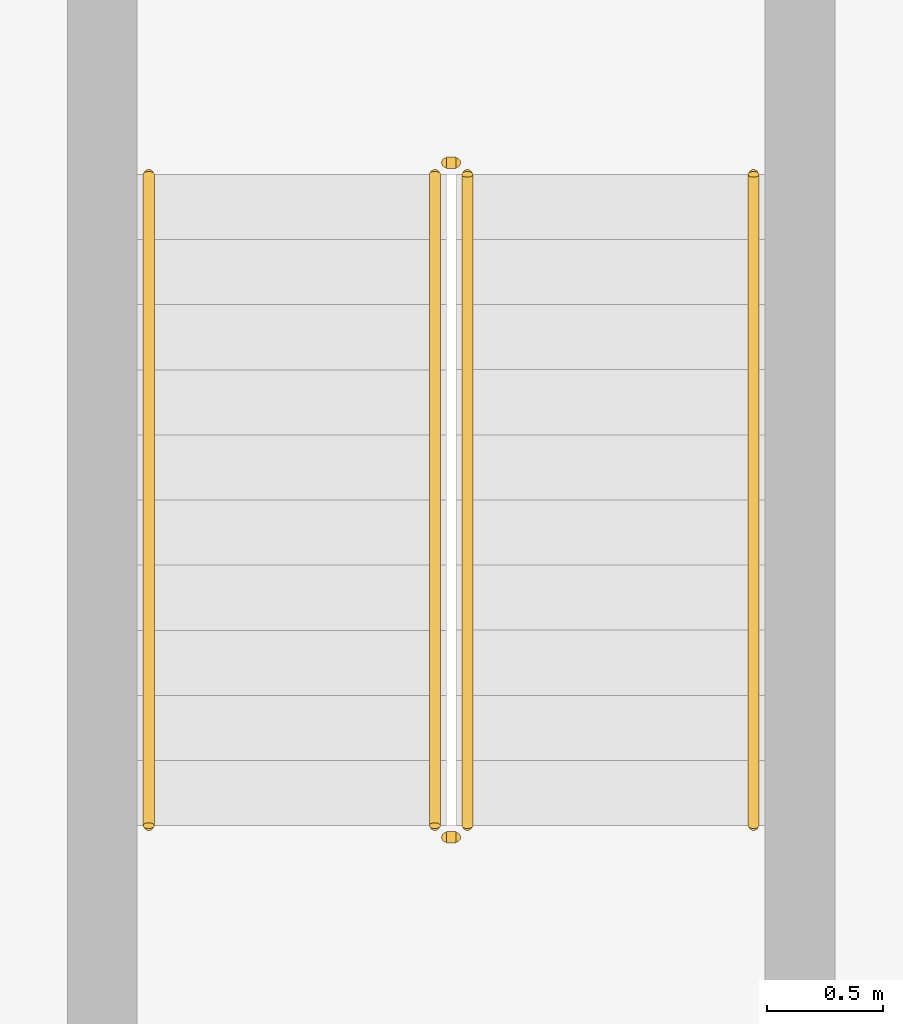
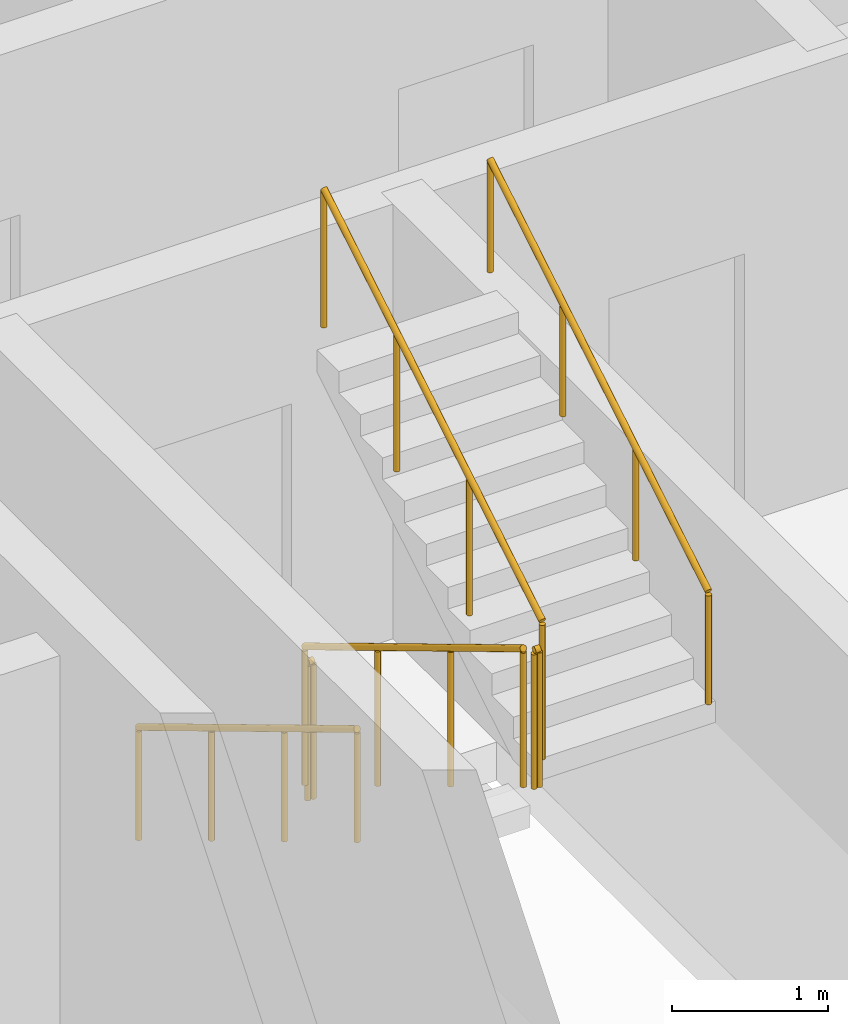
# One storey, part 22 of 23: 6 railings.
"""IFC4 building model written with IfcOpenShell, lengths in metres."""

from ifc_helpers import new_model, si_unit, direction, frame, origin, origin_2d, place, context, subcontext, project, spatial, circle, extrude, material, type_object, element, save


model = new_model("IFC4")

# Units and contexts
model_context = context("Model", 3, precision=1e-05, world=origin(), true_north=direction((0.0, 1.0)))
body_context = subcontext(model_context, "Body", "Model", "MODEL_VIEW")
ifc_project = project(units=[si_unit("LENGTHUNIT", "METRE"), si_unit("AREAUNIT", "SQUARE_METRE"), si_unit("VOLUMEUNIT", "CUBIC_METRE"), si_unit("PLANEANGLEUNIT", "RADIAN"), si_unit("MASSUNIT", "GRAM", prefix="KILO")], contexts=[model_context])

# Site, building, storey
site_placement = place(None, origin())
site = spatial("IfcSite", under=ifc_project, at=site_placement, CompositionType="ELEMENT")
building_placement = place(site_placement, origin())
building = spatial("IfcBuilding", under=site, at=building_placement, Name="Ogive Portal Towers", CompositionType="ELEMENT")
storey_placement = place(building_placement, frame((0.0, 0.0, 120.39990234375)))
storey = spatial("IfcBuildingStorey", under=building, at=storey_placement, Name="L29", CompositionType="ELEMENT", Elevation=120.39990234375)

# Railings
ifc_material_1 = material(Name="Stainless steel balustrade", Category="steel")
railing_type_1 = type_object("IfcRailingType", Name="INT-GUARD", PredefinedType="GUARDRAIL", material=ifc_material_1)
railing_1_placement = place(storey_placement, frame((88.280029296875, 29.169921875, 0.168212890625)))
element("IfcRailing", 1, at=railing_1_placement, inside=storey, type_object=railing_type_1, Name="L29 ST-A4 stair guard 1", PredefinedType="GUARDRAIL", context=body_context, shape_type="SweptSolid", body=[
    extrude(circle(Radius=0.02392578125, at=origin_2d()), frame((0.0, 0.0, 1.076171875), z_axis=(0.0, -0.857222391501, 0.514946377315), x_axis=(1.0, 0.0, 0.0)), (0.0, 0.0, 1.0), 3.26611328125),
    extrude(circle(Radius=0.02099609375, at=origin_2d()), origin(), (0.0, 0.0, 1.0), 1.052001953125),
    extrude(circle(Radius=0.02099609375, at=origin_2d()), frame((0.0, -0.933349609375, 0.560546875)), (0.0, 0.0, 1.0), 1.052001953125),
    extrude(circle(Radius=0.02099609375, at=origin_2d()), frame((0.0, -1.866455078125, 1.121337890625)), (0.0, 0.0, 1.0), 1.052001953125),
    extrude(circle(Radius=0.02099609375, at=origin_2d()), frame((0.0, -2.7998046875, 1.681884765625)), (0.0, 0.0, 1.0), 1.052001953125),
])
railing_2_placement = place(storey_placement, frame((88.330078125, 26.320068359375, 1.85009765625)))
element("IfcRailing", 2, at=railing_2_placement, inside=storey, type_object=railing_type_1, Name="L29 ST-A4 stair guard 2", PredefinedType="GUARDRAIL", context=body_context, shape_type="SweptSolid", body=[
    extrude(circle(Radius=0.02392578125, at=origin_2d()), frame((0.0, 0.0, 1.076171875), z_axis=(1.0, 0.0, 0.0), x_axis=(0.0, 1.0, 0.0)), (0.0, 0.0, 1.0), 0.0400390625),
    extrude(circle(Radius=0.02099609375, at=origin_2d()), origin(), (0.0, 0.0, 1.0), 1.052001953125),
    extrude(circle(Radius=0.02099609375, at=origin_2d()), frame((0.0400390625, 0.0, 0.0)), (0.0, 0.0, 1.0), 1.052001953125),
])
railing_3_placement = place(storey_placement, frame((88.419921875, 26.3701171875, 2.018310546875)))
element("IfcRailing", 3, at=railing_3_placement, inside=storey, type_object=railing_type_1, Name="L29 ST-A4 stair guard 3", PredefinedType="GUARDRAIL", context=body_context, shape_type="SweptSolid", body=[
    extrude(circle(Radius=0.02392578125, at=origin_2d()), frame((0.0, 0.0, 1.076171875), z_axis=(0.0, 0.857222391501, 0.514946377315), x_axis=(-1.0, 0.0, 0.0)), (0.0, 0.0, 1.0), 3.26611328125),
    extrude(circle(Radius=0.02099609375, at=origin_2d()), origin(), (0.0, 0.0, 1.0), 1.052001953125),
    extrude(circle(Radius=0.02099609375, at=origin_2d()), frame((0.0, 0.933349609375, 0.560546875)), (0.0, 0.0, 1.0), 1.052001953125),
    extrude(circle(Radius=0.02099609375, at=origin_2d()), frame((0.0, 1.866455078125, 1.121337890625)), (0.0, 0.0, 1.0), 1.052001953125),
    extrude(circle(Radius=0.02099609375, at=origin_2d()), frame((0.0, 2.7998046875, 1.681884765625)), (0.0, 0.0, 1.0), 1.052001953125),
])
railing_4_placement = place(storey_placement, frame((88.330078125, 29.219970703125, 0.0)))
element("IfcRailing", 4, at=railing_4_placement, inside=storey, type_object=railing_type_1, Name="L29 ST-A4 stair guard 4", PredefinedType="GUARDRAIL", context=body_context, shape_type="SweptSolid", body=[
    extrude(circle(Radius=0.02392578125, at=origin_2d()), frame((0.0, 0.0, 1.076171875), z_axis=(1.0, 0.0, 0.0), x_axis=(0.0, 1.0, 0.0)), (0.0, 0.0, 1.0), 0.0400390625),
    extrude(circle(Radius=0.02099609375, at=origin_2d()), origin(), (0.0, 0.0, 1.0), 1.052001953125),
    extrude(circle(Radius=0.02099609375, at=origin_2d()), frame((0.0400390625, 0.0, 0.0)), (0.0, 0.0, 1.0), 1.052001953125),
])
ifc_material_2 = material(Name="Stainless steel handrail", Category="steel")
railing_type_2 = type_object("IfcRailingType", Name="INT-HANDRAIL", PredefinedType="HANDRAIL", material=ifc_material_2)
railing_5_placement = place(storey_placement, frame((87.050048828125, 29.169921875, 0.168212890625)))
element("IfcRailing", 5, at=railing_5_placement, inside=storey, type_object=railing_type_2, Name="L29 ST-A4 stair handrail 1", PredefinedType="HANDRAIL", context=body_context, shape_type="SweptSolid", body=[
    extrude(circle(Radius=0.02392578125, at=origin_2d()), frame((0.0, 0.0, 0.8759765625), z_axis=(0.0, -0.857222391501, 0.514946377315), x_axis=(1.0, 0.0, 0.0)), (0.0, 0.0, 1.0), 3.26611328125),
    extrude(circle(Radius=0.02099609375, at=origin_2d()), origin(), (0.0, 0.0, 1.0), 0.851806640625),
    extrude(circle(Radius=0.02099609375, at=origin_2d()), frame((0.0, -0.933349609375, 0.560546875)), (0.0, 0.0, 1.0), 0.851806640625),
    extrude(circle(Radius=0.02099609375, at=origin_2d()), frame((0.0, -1.866455078125, 1.121337890625)), (0.0, 0.0, 1.0), 0.851806640625),
    extrude(circle(Radius=0.02099609375, at=origin_2d()), frame((0.0, -2.7998046875, 1.681884765625)), (0.0, 0.0, 1.0), 0.851806640625),
])
railing_6_placement = place(storey_placement, frame((89.64990234375, 26.3701171875, 2.018310546875)))
element("IfcRailing", 6, at=railing_6_placement, inside=storey, type_object=railing_type_2, Name="L29 ST-A4 stair handrail 2", PredefinedType="HANDRAIL", context=body_context, shape_type="SweptSolid", body=[
    extrude(circle(Radius=0.02392578125, at=origin_2d()), frame((0.0, 0.0, 0.8759765625), z_axis=(0.0, 0.857222391501, 0.514946377315), x_axis=(-1.0, 0.0, 0.0)), (0.0, 0.0, 1.0), 3.26611328125),
    extrude(circle(Radius=0.02099609375, at=origin_2d()), origin(), (0.0, 0.0, 1.0), 0.851806640625),
    extrude(circle(Radius=0.02099609375, at=origin_2d()), frame((0.0, 0.933349609375, 0.560546875)), (0.0, 0.0, 1.0), 0.851806640625),
    extrude(circle(Radius=0.02099609375, at=origin_2d()), frame((0.0, 1.866455078125, 1.121337890625)), (0.0, 0.0, 1.0), 0.851806640625),
    extrude(circle(Radius=0.02099609375, at=origin_2d()), frame((0.0, 2.7998046875, 1.681884765625)), (0.0, 0.0, 1.0), 0.851806640625),
])

save(model, "model.ifc")
